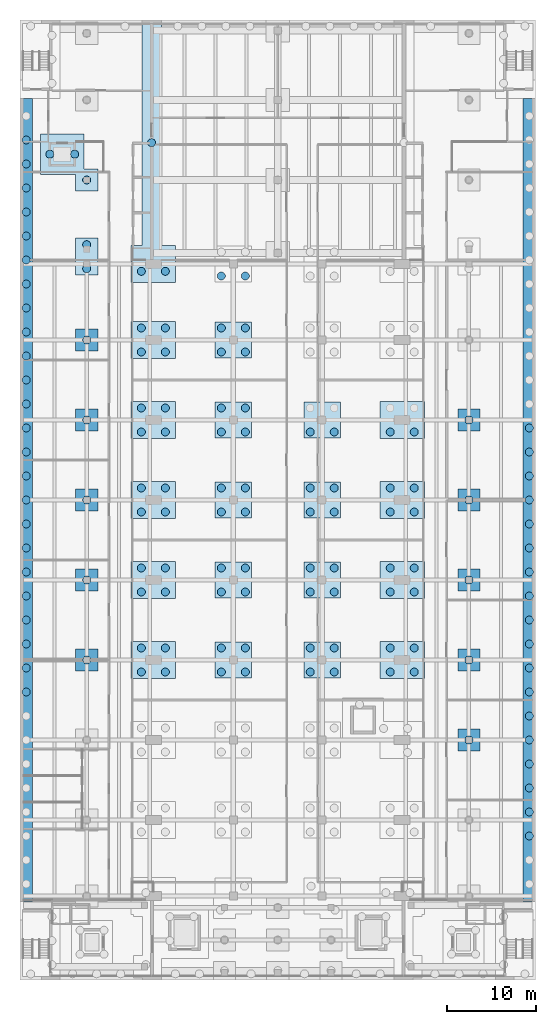
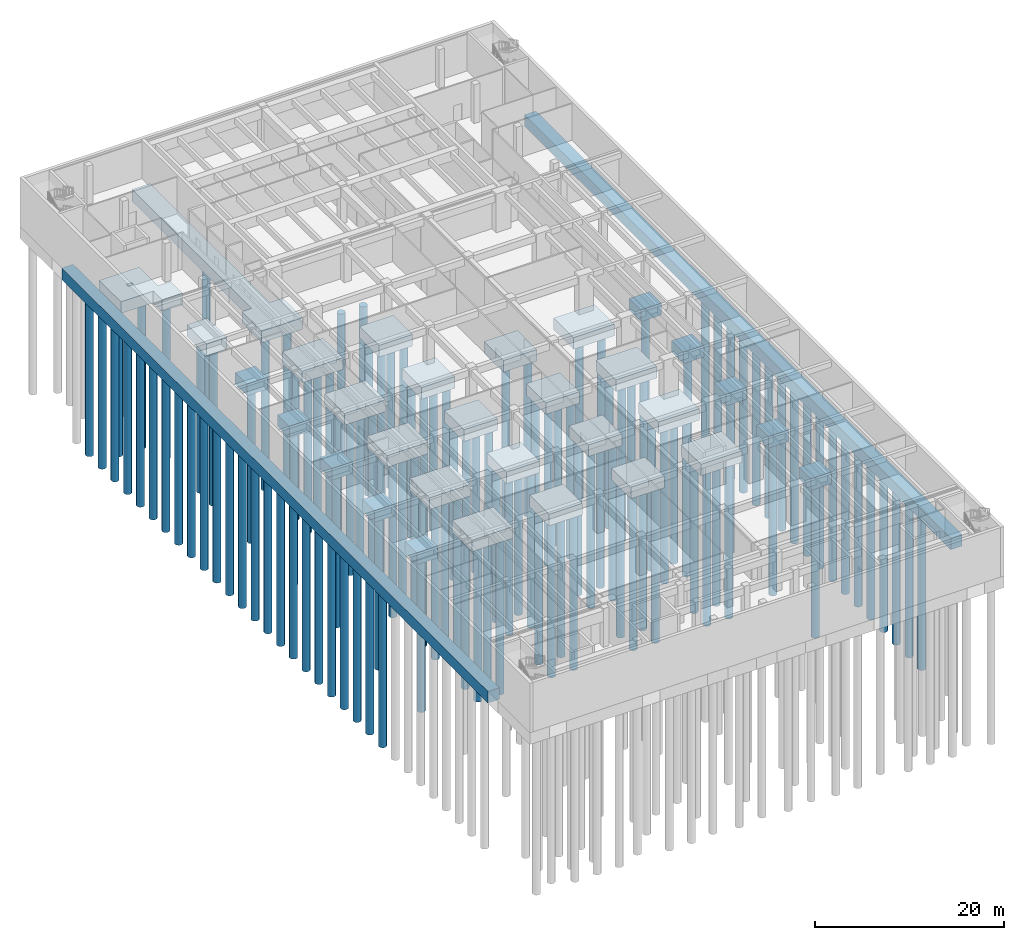
# One storey, part 2 of 19: 130 piles, 33 footings.
"""IFC4 building model written with IfcOpenShell, lengths in metres."""

import ifcopenshell
import ifcopenshell.guid

model = None  # the IFC model being written
_history = None  # IfcOwnerHistory: only IFC2X3 demands one
_inside = {}  # id of a spatial element -> (the spatial element, [elements in it])
_under = {}  # id of a project, library or spatial element -> (it, [spatial elements below it])
_declared = {}  # id of a project -> (the project, [libraries it declares])
_typed = {}  # id of a type object -> (the type object, [elements of that type])
_made_of = {}  # id of a material, layer set ... -> (it, [elements and type objects made of it])


def new_model(schema):
    """Start an empty IFC model of exactly this schema.

    Asked for "IFC4X3", IfcOpenShell would pick the latest addendum, in which some entities
    have other attributes; the version numbers below select the first issue.
    IFC2X3 requires an IfcOwnerHistory on every rooted entity: one is made here for all.
    """
    global model, _history
    if schema == "IFC4X3":
        model = ifcopenshell.file(schema_version=(4, 3, 0, 0))
    else:
        model = ifcopenshell.file(schema=schema)
    _inside.clear()
    _under.clear()
    _declared.clear()
    _typed.clear()
    _made_of.clear()
    _history = None
    if model.schema == "IFC2X3":
        org = make("IfcOrganization", Name="unknown")
        user = make(
            "IfcPersonAndOrganization",
            ThePerson=make("IfcPerson", FamilyName="unknown"),
            TheOrganization=org,
        )
        app = make(
            "IfcApplication",
            ApplicationDeveloper=org,
            Version="unknown",
            ApplicationFullName="unknown",
            ApplicationIdentifier="unknown",
        )
        _history = make(
            "IfcOwnerHistory",
            OwningUser=user,
            OwningApplication=app,
            ChangeAction="ADDED",
            CreationDate=0,
        )
    return model


def make(cls, **values):
    """One entity of the class cls with the attributes given. An attribute that is None is left unset."""
    return model.create_entity(
        cls, **{name: value for name, value in values.items() if value is not None}
    )


def rooted(cls, **values):
    """An entity with a GlobalId (a new one), such as an element, a storey or a relation."""
    return make(cls, GlobalId=ifcopenshell.guid.new(), OwnerHistory=_history, **values)


def si_unit(unit_type, name, prefix=None):
    """IfcSIUnit, for example si_unit("LENGTHUNIT", "METRE", prefix="MILLI")."""
    return make("IfcSIUnit", UnitType=unit_type, Prefix=prefix, Name=name)


def assignment(units):
    """IfcUnitAssignment: the units of a project."""
    return None if units is None else make("IfcUnitAssignment", Units=units)


def point(xyz):
    """IfcCartesianPoint."""
    return None if xyz is None else make("IfcCartesianPoint", Coordinates=xyz)


def direction(xyz):
    """IfcDirection."""
    return None if xyz is None else make("IfcDirection", DirectionRatios=xyz)


def frame(location, z_axis=None, x_axis=None):
    """IfcAxis2Placement3D, a coordinate frame: its origin and axes. An axis left out is left unset."""
    return make(
        "IfcAxis2Placement3D",
        Location=point(location),
        Axis=direction(z_axis),
        RefDirection=direction(x_axis),
    )


def frame_2d(location, x_axis=None):
    """IfcAxis2Placement2D, a coordinate frame in the plane: its origin and x axis."""
    return make(
        "IfcAxis2Placement2D", Location=point(location), RefDirection=direction(x_axis)
    )


def origin():
    """The frame at (0, 0, 0) with its axes left unset."""
    return frame((0.0, 0.0, 0.0))


def origin_2d():
    """The frame at (0, 0) in the plane with its x axis left unset."""
    return frame_2d((0.0, 0.0))


def place(relative_to, where):
    """IfcLocalPlacement: puts the frame where relative to a parent placement (None: the world)."""
    return make(
        "IfcLocalPlacement", PlacementRelTo=relative_to, RelativePlacement=where
    )


def context(
    kind, dimensions, precision=None, world=None, true_north=None, identifier=None
):
    """IfcGeometricRepresentationContext, for example the 3D "Model" context."""
    return make(
        "IfcGeometricRepresentationContext",
        ContextIdentifier=identifier,
        ContextType=kind,
        CoordinateSpaceDimension=dimensions,
        Precision=precision,
        WorldCoordinateSystem=world,
        TrueNorth=true_north,
    )


def subcontext(parent, identifier, kind, view, scale=None):
    """IfcGeometricRepresentationSubContext, for example "Body" below "Model"."""
    return make(
        "IfcGeometricRepresentationSubContext",
        ContextIdentifier=identifier,
        ContextType=kind,
        ParentContext=parent,
        TargetScale=scale,
        TargetView=view,
    )


def project(units=None, contexts=None):
    """IfcProject with its units and contexts."""
    return rooted(
        "IfcProject",
        Name="project",
        RepresentationContexts=contexts,
        UnitsInContext=assignment(units),
    )


def spatial(cls, under=None, at=None, **own):
    """A site, building, storey or space (cls), placed at a placement, below another one or the project."""
    s = rooted(cls, ObjectPlacement=at, **own)
    if under is not None:
        _under.setdefault(under.id(), (under, []))[1].append(s)
    return s


def polyline(points):
    """IfcPolyline through the points."""
    return make("IfcPolyline", Points=[point(p) for p in points])


def profile(cls, at=None, kind="AREA", **sizes):
    """A parametric profile (cls). Its sizes go by their IFC names, for example OverallWidth=200.0."""
    return make(cls, ProfileType=kind, Position=at, **sizes)


def circle(**sizes):
    """IfcCircleProfileDef."""
    return profile("IfcCircleProfileDef", **sizes)


def outline(outer, holes=None, kind="AREA"):
    """IfcArbitraryClosedProfileDef: a profile drawn as a closed curve; with holes, ...WithVoids."""
    if holes is None:
        return make("IfcArbitraryClosedProfileDef", ProfileType=kind, OuterCurve=outer)
    return make(
        "IfcArbitraryProfileDefWithVoids",
        ProfileType=kind,
        OuterCurve=outer,
        InnerCurves=holes,
    )


def extrude(swept, where, along, depth):
    """IfcExtrudedAreaSolid: the profile swept, set in the frame where, extruded along a direction by depth."""
    return make(
        "IfcExtrudedAreaSolid",
        SweptArea=swept,
        Position=where,
        ExtrudedDirection=direction(along),
        Depth=depth,
    )


def shape(context_of_items, identifier, shape_type, items):
    """IfcShapeRepresentation: the items that make up one representation, for example the "Body"."""
    return make(
        "IfcShapeRepresentation",
        ContextOfItems=context_of_items,
        RepresentationIdentifier=identifier,
        RepresentationType=shape_type,
        Items=items,
    )


def material(Name=None, Category=None):
    """IfcMaterial."""
    return make("IfcMaterial", Name=Name, Category=Category)


def layer(
    of_material, thickness, ventilated=None, Name=None, Category=None, Priority=None
):
    """IfcMaterialLayer: one layer of a wall or slab, of a material (None: an air gap)."""
    return make(
        "IfcMaterialLayer",
        Material=of_material,
        LayerThickness=thickness,
        IsVentilated=ventilated,
        Name=Name,
        Category=Category,
        Priority=Priority,
    )


def layer_set(layers, Name=None):
    """IfcMaterialLayerSet."""
    return make("IfcMaterialLayerSet", MaterialLayers=layers, LayerSetName=Name)


def material_profile(
    of_material, cross_section, Name=None, Category=None, Priority=None
):
    """IfcMaterialProfile: a cross section and its material."""
    return make(
        "IfcMaterialProfile",
        Name=Name,
        Material=of_material,
        Profile=cross_section,
        Priority=Priority,
        Category=Category,
    )


def profile_set(profiles, Name=None, composite=None):
    """IfcMaterialProfileSet."""
    return make(
        "IfcMaterialProfileSet",
        Name=Name,
        MaterialProfiles=profiles,
        CompositeProfile=composite,
    )


def made_of(thing, what):
    """Note that an element or type object is made of a material, layer set ...; save() writes the relation."""
    if what is not None:
        _made_of.setdefault(what.id(), (what, []))[1].append(thing)
    return thing


def type_object(cls, material=None, **own):
    """A type object (cls), such as IfcWallType, which elements share."""
    return made_of(rooted(cls, **own), material)


def element(
    cls,
    number,
    at=None,
    inside=None,
    cuts=None,
    type_object=None,
    material=None,
    context=None,
    identifier="Body",
    shape_type=None,
    held_by="IfcProductDefinitionShape",
    body=None,
    shapes=None,
    **own,
):
    """One element of the class cls, such as IfcWall. Its Tag is "e" and its number.

    at: its placement. inside: the storey or other place that contains it. cuts: it is an
    opening in that element (IfcRelVoidsElement). A single representation is given by context,
    identifier, shape_type and body (its items); several are given by shapes. held_by: the class
    of the entity that holds the representations. save() writes the other relations.
    """
    e = rooted(cls, Tag="e%d" % number, ObjectPlacement=at, **own)
    if body is not None:
        shapes = [shape(context, identifier, shape_type, body)]
    if shapes is not None:
        e.Representation = make(held_by, Representations=shapes)
    if inside is not None:
        _inside.setdefault(inside.id(), (inside, []))[1].append(e)
    if cuts is not None:
        rooted(
            "IfcRelVoidsElement", RelatingBuildingElement=cuts, RelatedOpeningElement=e
        )
    if type_object is not None:
        _typed.setdefault(type_object.id(), (type_object, []))[1].append(e)
    return made_of(e, material)


def aggregate(whole, parts):
    """IfcRelAggregates: a whole, such as a stair, and the parts it consists of."""
    return rooted("IfcRelAggregates", RelatingObject=whole, RelatedObjects=parts)


def save(model, path):
    """Write the relations noted so far, then the file.

    IfcRelAggregates (storeys below a building ...), IfcRelContainedInSpatialStructure (elements
    in a storey), IfcRelDefinesByType, IfcRelAssociatesMaterial and IfcRelDeclares: one each for
    every whole, place, type object, material and project.
    """
    for whole, parts in _under.values():
        aggregate(whole, parts)
    for where, things in _inside.values():
        rooted(
            "IfcRelContainedInSpatialStructure",
            RelatedElements=things,
            RelatingStructure=where,
        )
    for kind, things in _typed.values():
        rooted("IfcRelDefinesByType", RelatedObjects=things, RelatingType=kind)
    for what, things in _made_of.values():
        rooted("IfcRelAssociatesMaterial", RelatedObjects=things, RelatingMaterial=what)
    for by, libraries in _declared.values():
        rooted("IfcRelDeclares", RelatingContext=by, RelatedDefinitions=libraries)
    model.write(path)


model = new_model("IFC4")

# Units and contexts
model_context = context("Model", 3, precision=1e-05, world=origin(), true_north=direction((0.0, 1.0)))
body_context = subcontext(model_context, "Body", "Model", "MODEL_VIEW")
ifc_project = project(units=[si_unit("LENGTHUNIT", "METRE"), si_unit("AREAUNIT", "SQUARE_METRE"), si_unit("VOLUMEUNIT", "CUBIC_METRE"), si_unit("PLANEANGLEUNIT", "RADIAN"), si_unit("MASSUNIT", "GRAM", prefix="KILO")], contexts=[model_context])

# Site, building, storey
site_placement = place(None, origin())
site = spatial("IfcSite", under=ifc_project, at=site_placement, CompositionType="ELEMENT")
building_placement = place(site_placement, origin())
building = spatial("IfcBuilding", under=site, at=building_placement, Name="Elmora Arch Market Hall", CompositionType="ELEMENT")
storey_placement = place(building_placement, frame((0.0, 0.0, -10.0)))
storey = spatial("IfcBuildingStorey", under=building, at=storey_placement, Name="B1", CompositionType="ELEMENT", Elevation=-10.0)

# Piles
ifc_material_1 = material(Name="Concrete C40/50", Category="concrete")
ifc_material_profile = material_profile(ifc_material_1, circle(Radius=0.449951171875, at=origin_2d()), Name="Bored pile D900")
ifc_profile_set = profile_set([ifc_material_profile], Name="Concrete C40/50")
pile_type = type_object("IfcPileType", Name="Bored pile D900", PredefinedType="BORED", material=ifc_profile_set)
for number, where, z_axis, x_axis, name in (
    (1, (50.5, 45.0, -2.89990234375), (0.0, 0.0, -1.0), (1.0, 0.0, 0.0), "Bored pile 029.01"),
    (2, (13.64990234375, 52.64990234375, -2.89990234375), (0.0, 0.0, -1.0), (1.0, 0.0, 0.0), "Bored pile 030.01"),
    (3, (13.64990234375, 55.35009765625, -2.89990234375), (0.0, 0.0, -1.0), (1.0, 0.0, 0.0), "Bored pile 030.02"),
    (4, (16.35009765625, 52.64990234375, -2.89990234375), (0.0, 0.0, -1.0), (1.0, 0.0, 0.0), "Bored pile 030.03"),
    (5, (16.35009765625, 55.35009765625, -2.89990234375), (0.0, 0.0, -1.0), (1.0, 0.0, 0.0), "Bored pile 030.04"),
    (6, (41.64990234375, 52.64990234375, -2.89990234375), (0.0, 0.0, -1.0), (1.0, 0.0, 0.0), "Bored pile 031.01"),
    (7, (41.64990234375, 55.35009765625, -2.89990234375), (0.0, 0.0, -1.0), (1.0, 0.0, 0.0), "Bored pile 031.02"),
    (8, (44.35009765625, 52.64990234375, -2.89990234375), (0.0, 0.0, -1.0), (1.0, 0.0, 0.0), "Bored pile 031.03"),
    (9, (44.35009765625, 55.35009765625, -2.89990234375), (0.0, 0.0, -1.0), (1.0, 0.0, 0.0), "Bored pile 031.04"),
    (10, (22.64990234375, 52.64990234375, -2.89990234375), (0.0, 0.0, -1.0), (1.0, 0.0, 0.0), "Bored pile 032.01"),
    (11, (22.64990234375, 55.35009765625, -2.89990234375), (0.0, 0.0, -1.0), (1.0, 0.0, 0.0), "Bored pile 032.02"),
    (12, (25.35009765625, 52.64990234375, -2.89990234375), (0.0, 0.0, -1.0), (1.0, 0.0, 0.0), "Bored pile 032.03"),
    (13, (25.35009765625, 55.35009765625, -2.89990234375), (0.0, 0.0, -1.0), (1.0, 0.0, 0.0), "Bored pile 032.04"),
    (14, (32.64990234375, 52.64990234375, -2.89990234375), (0.0, 0.0, -1.0), (1.0, 0.0, 0.0), "Bored pile 033.01"),
    (15, (32.64990234375, 55.35009765625, -2.89990234375), (0.0, 0.0, -1.0), (1.0, 0.0, 0.0), "Bored pile 033.02"),
    (16, (35.35009765625, 52.64990234375, -2.89990234375), (0.0, 0.0, -1.0), (1.0, 0.0, 0.0), "Bored pile 033.03"),
    (17, (35.35009765625, 55.35009765625, -2.89990234375), (0.0, 0.0, -1.0), (1.0, 0.0, 0.0), "Bored pile 033.04"),
    (18, (7.5, 54.0, -2.89990234375), (0.0, 0.0, -1.0), (1.0, 0.0, 0.0), "Bored pile 034.01"),
    (19, (50.5, 54.0, -2.89990234375), (0.0, 0.0, -1.0), (1.0, 0.0, 0.0), "Bored pile 035.01"),
    (20, (13.64990234375, 61.64990234375, -2.89990234375), (0.0, 0.0, -1.0), (1.0, 0.0, 0.0), "Bored pile 036.01"),
    (21, (13.64990234375, 64.35009765625, -2.89990234375), (0.0, 0.0, -1.0), (1.0, 0.0, 0.0), "Bored pile 036.02"),
    (22, (16.35009765625, 61.64990234375, -2.89990234375), (0.0, 0.0, -1.0), (1.0, 0.0, 0.0), "Bored pile 036.03"),
    (23, (16.35009765625, 64.35009765625, -2.89990234375), (0.0, 0.0, -1.0), (1.0, 0.0, 0.0), "Bored pile 036.04"),
    (24, (41.64990234375, 61.64990234375, -2.89990234375), (0.0, 0.0, -1.0), (1.0, 0.0, 0.0), "Bored pile 037.01"),
    (25, (41.64990234375, 64.35009765625, -2.89990234375), (0.0, 0.0, -1.0), (1.0, 0.0, 0.0), "Bored pile 037.02"),
    (26, (44.35009765625, 61.64990234375, -2.89990234375), (0.0, 0.0, -1.0), (1.0, 0.0, 0.0), "Bored pile 037.03"),
    (27, (44.35009765625, 64.35009765625, -2.89990234375), (0.0, 0.0, -1.0), (1.0, 0.0, 0.0), "Bored pile 037.04"),
    (28, (22.64990234375, 61.64990234375, -2.89990234375), (0.0, 0.0, -1.0), (1.0, 0.0, 0.0), "Bored pile 038.01"),
    (29, (22.64990234375, 64.35009765625, -2.89990234375), (0.0, 0.0, -1.0), (1.0, 0.0, 0.0), "Bored pile 038.02"),
    (30, (25.35009765625, 61.64990234375, -2.89990234375), (0.0, 0.0, -1.0), (1.0, 0.0, 0.0), "Bored pile 038.03"),
    (31, (25.35009765625, 64.35009765625, -2.89990234375), (0.0, 0.0, -1.0), (1.0, 0.0, 0.0), "Bored pile 038.04"),
    (32, (32.64990234375, 61.64990234375, -2.89990234375), (0.0, 0.0, -1.0), (1.0, 0.0, 0.0), "Bored pile 039.01"),
    (33, (32.64990234375, 64.35009765625, -2.89990234375), (0.0, 0.0, -1.0), (1.0, 0.0, 0.0), "Bored pile 039.02"),
    (34, (35.35009765625, 61.64990234375, -2.89990234375), (0.0, 0.0, -1.0), (1.0, 0.0, 0.0), "Bored pile 039.03"),
    (35, (35.35009765625, 64.35009765625, -2.89990234375), (0.0, 0.0, -1.0), (1.0, 0.0, 0.0), "Bored pile 039.04"),
    (36, (7.5, 63.0, -2.89990234375), (0.0, 0.0, -1.0), (1.0, 0.0, 0.0), "Bored pile 040.01"),
    (37, (50.5, 63.0, -2.89990234375), (0.0, 0.0, -1.0), (1.0, 0.0, 0.0), "Bored pile 041.01"),
    (38, (13.64990234375, 70.64990234375, -2.89990234375), (0.0, 0.0, -1.0), (1.0, 0.0, 0.0), "Bored pile 042.01"),
    (39, (13.64990234375, 73.35009765625, -2.89990234375), (0.0, 0.0, -1.0), (1.0, 0.0, 0.0), "Bored pile 042.02"),
    (40, (16.35009765625, 70.64990234375, -2.89990234375), (0.0, 0.0, -1.0), (1.0, 0.0, 0.0), "Bored pile 042.03"),
    (41, (16.35009765625, 73.35009765625, -2.89990234375), (0.0, 0.0, -1.0), (1.0, 0.0, 0.0), "Bored pile 042.04"),
    (42, (41.64990234375, 70.64990234375, -2.89990234375), (0.0, 0.0, -1.0), (1.0, 0.0, 0.0), "Bored pile 043.01"),
    (43, (41.64990234375, 73.35009765625, -2.89990234375), (0.0, 0.0, -1.0), (1.0, 0.0, 0.0), "Bored pile 043.02"),
    (44, (44.35009765625, 70.64990234375, -2.89990234375), (0.0, 0.0, -1.0), (1.0, 0.0, 0.0), "Bored pile 043.03"),
    (45, (44.35009765625, 73.35009765625, -2.89990234375), (0.0, 0.0, -1.0), (1.0, 0.0, 0.0), "Bored pile 043.04"),
    (46, (22.64990234375, 70.64990234375, -2.89990234375), (0.0, 0.0, -1.0), (1.0, 0.0, 0.0), "Bored pile 044.01"),
    (47, (22.64990234375, 73.35009765625, -2.89990234375), (0.0, 0.0, -1.0), (1.0, 0.0, 0.0), "Bored pile 044.02"),
    (48, (25.35009765625, 70.64990234375, -2.89990234375), (0.0, 0.0, -1.0), (1.0, 0.0, 0.0), "Bored pile 044.03"),
    (49, (25.35009765625, 73.35009765625, -2.89990234375), (0.0, 0.0, -1.0), (1.0, 0.0, 0.0), "Bored pile 044.04"),
    (50, (32.64990234375, 70.64990234375, -2.89990234375), (0.0, 0.0, -1.0), (1.0, 0.0, 0.0), "Bored pile 045.01"),
    (51, (32.64990234375, 73.35009765625, -2.89990234375), (0.0, 0.0, -1.0), (1.0, 0.0, 0.0), "Bored pile 045.02"),
    (52, (35.35009765625, 70.64990234375, -2.89990234375), (0.0, 0.0, -1.0), (1.0, 0.0, 0.0), "Bored pile 045.03"),
    (53, (35.35009765625, 73.35009765625, -2.89990234375), (0.0, 0.0, -1.0), (1.0, 0.0, 0.0), "Bored pile 045.04"),
    (54, (7.5, 72.0, -2.89990234375), (0.0, 0.0, -1.0), (1.0, 0.0, 0.0), "Bored pile 046.01"),
    (55, (50.5, 72.0, -2.89990234375), (0.0, 0.0, -1.0), (1.0, 0.0, 0.0), "Bored pile 047.01"),
    (56, (13.64990234375, 79.64990234375, -2.89990234375), (0.0, 0.0, -1.0), (1.0, 0.0, 0.0), "Bored pile 048.01"),
    (57, (13.64990234375, 82.35009765625, -2.89990234375), (0.0, 0.0, -1.0), (1.0, 0.0, 0.0), "Bored pile 048.02"),
    (58, (16.35009765625, 79.64990234375, -2.89990234375), (0.0, 0.0, -1.0), (1.0, 0.0, 0.0), "Bored pile 048.03"),
    (59, (16.35009765625, 82.35009765625, -2.89990234375), (0.0, 0.0, -1.0), (1.0, 0.0, 0.0), "Bored pile 048.04"),
    (60, (41.64990234375, 79.64990234375, -2.89990234375), (0.0, 0.0, -1.0), (1.0, 0.0, 0.0), "Bored pile 049.01"),
    (61, (44.35009765625, 79.64990234375, -2.89990234375), (0.0, 0.0, -1.0), (1.0, 0.0, 0.0), "Bored pile 049.03"),
    (62, (22.64990234375, 79.64990234375, -2.89990234375), (0.0, 0.0, -1.0), (1.0, 0.0, 0.0), "Bored pile 050.01"),
    (63, (22.64990234375, 82.35009765625, -2.89990234375), (0.0, 0.0, -1.0), (1.0, 0.0, 0.0), "Bored pile 050.02"),
    (64, (25.35009765625, 79.64990234375, -2.89990234375), (0.0, 0.0, -1.0), (1.0, 0.0, 0.0), "Bored pile 050.03"),
    (65, (25.35009765625, 82.35009765625, -2.89990234375), (0.0, 0.0, -1.0), (1.0, 0.0, 0.0), "Bored pile 050.04"),
    (66, (32.64990234375, 79.64990234375, -2.89990234375), (0.0, 0.0, -1.0), (1.0, 0.0, 0.0), "Bored pile 051.01"),
    (67, (35.35009765625, 79.64990234375, -2.89990234375), (0.0, 0.0, -1.0), (1.0, 0.0, 0.0), "Bored pile 051.03"),
    (68, (7.5, 81.0, -2.89990234375), (0.0, 0.0, -1.0), (1.0, 0.0, 0.0), "Bored pile 052.01"),
    (69, (50.5, 81.0, -2.89990234375), (0.0, 0.0, -1.0), (1.0, 0.0, 0.0), "Bored pile 053.01"),
    (70, (13.64990234375, 88.64990234375, -2.89990234375), (0.0, 0.0, -1.0), (1.0, 0.0, 0.0), "Bored pile 054.01"),
    (71, (13.64990234375, 91.35009765625, -2.89990234375), (0.0, 0.0, -1.0), (1.0, 0.0, 0.0), "Bored pile 054.02"),
    (72, (16.35009765625, 88.64990234375, -2.89990234375), (0.0, 0.0, -1.0), (1.0, 0.0, 0.0), "Bored pile 054.03"),
    (73, (16.35009765625, 91.35009765625, -2.89990234375), (0.0, 0.0, -1.0), (1.0, 0.0, 0.0), "Bored pile 054.04"),
    (74, (22.64990234375, 88.64990234375, -2.89990234375), (0.0, 0.0, -1.0), (1.0, 0.0, 0.0), "Bored pile 056.01"),
    (75, (22.64990234375, 91.35009765625, -2.89990234375), (0.0, 0.0, -1.0), (1.0, 0.0, 0.0), "Bored pile 056.02"),
    (76, (25.35009765625, 88.64990234375, -2.89990234375), (0.0, 0.0, -1.0), (1.0, 0.0, 0.0), "Bored pile 056.03"),
    (77, (25.35009765625, 91.35009765625, -2.89990234375), (0.0, 0.0, -1.0), (1.0, 0.0, 0.0), "Bored pile 056.04"),
    (78, (7.5, 90.0, -2.89990234375), (0.0, 0.0, -1.0), (1.0, 0.0, 0.0), "Bored pile 058.01"),
    (79, (13.64990234375, 97.72509765625, -2.89990234375), (0.0, 0.0, -1.0), (1.0, 0.0, 0.0), "Bored pile 060.01"),
    (80, (16.35009765625, 97.72509765625, -2.89990234375), (0.0, 0.0, -1.0), (1.0, 0.0, 0.0), "Bored pile 060.02"),
    (81, (14.800048828125, 112.199951171875, -2.89990234375), (0.0, 0.0, -1.0), (1.0, 0.0, 0.0), "Bored pile 060.03"),
    (82, (22.64990234375, 97.199951171875, -2.89990234375), (0.0, 0.0, -1.0), (1.0, 0.0, 0.0), "Bored pile 062.01"),
    (83, (25.35009765625, 97.199951171875, -2.89990234375), (0.0, 0.0, -1.0), (1.0, 0.0, 0.0), "Bored pile 062.03"),
    (84, (7.5, 98.02490234375, -2.89990234375), (0.0, 0.0, -1.0), (1.0, 0.0, 0.0), "Bored pile 064.01"),
    (85, (7.5, 100.72509765625, -2.89990234375), (0.0, 0.0, -1.0), (1.0, 0.0, 0.0), "Bored pile 064.02"),
    (86, (7.5, 108.0, -2.89990234375), (0.0, 0.0, -1.0), (1.0, 0.0, 0.0), "Bored pile 068.01"),
    (87, (3.35009765625, 110.89990234375, -2.89990234375), (0.0, 0.0, -1.0), (1.0, 0.0, 0.0), "Bored pile 068.02"),
    (88, (6.14990234375, 110.89990234375, -2.89990234375), (0.0, 0.0, -1.0), (1.0, 0.0, 0.0), "Bored pile 068.03"),
    (89, (0.699951171875, 50.39990234375, -2.89990234375), (0.0, 0.0, -1.0), (1.0, 0.0, 0.0), "Bored pile 086.09"),
    (90, (0.699951171875, 53.10009765625, -2.89990234375), (0.0, 0.0, -1.0), (1.0, 0.0, 0.0), "Bored pile 086.10"),
    (91, (0.699951171875, 55.800048828125, -2.89990234375), (0.0, 0.0, -1.0), (1.0, 0.0, 0.0), "Bored pile 086.11"),
    (92, (0.699951171875, 58.5, -2.89990234375), (0.0, 0.0, -1.0), (1.0, 0.0, 0.0), "Bored pile 086.12"),
    (93, (0.699951171875, 61.199951171875, -2.89990234375), (0.0, 0.0, -1.0), (1.0, 0.0, 0.0), "Bored pile 086.13"),
    (94, (0.699951171875, 63.89990234375, -2.89990234375), (0.0, 0.0, -1.0), (1.0, 0.0, 0.0), "Bored pile 086.14"),
    (95, (0.699951171875, 66.60009765625, -2.89990234375), (0.0, 0.0, -1.0), (1.0, 0.0, 0.0), "Bored pile 086.15"),
    (96, (0.699951171875, 69.300048828125, -2.89990234375), (0.0, 0.0, -1.0), (1.0, 0.0, 0.0), "Bored pile 086.16"),
    (97, (0.699951171875, 72.0, -2.89990234375), (0.0, 0.0, -1.0), (1.0, 0.0, 0.0), "Bored pile 086.17"),
    (98, (0.699951171875, 74.699951171875, -2.89990234375), (0.0, 0.0, -1.0), (1.0, 0.0, 0.0), "Bored pile 086.18"),
    (99, (0.699951171875, 77.39990234375, -2.89990234375), (0.0, 0.0, -1.0), (1.0, 0.0, 0.0), "Bored pile 086.19"),
    (100, (0.699951171875, 80.10009765625, -2.89990234375), (0.0, 0.0, -1.0), (1.0, 0.0, 0.0), "Bored pile 086.20"),
    (101, (0.699951171875, 82.800048828125, -2.89990234375), (0.0, 0.0, -1.0), (1.0, 0.0, 0.0), "Bored pile 086.21"),
    (102, (0.699951171875, 85.5, -2.89990234375), (0.0, 0.0, -1.0), (1.0, 0.0, 0.0), "Bored pile 086.22"),
    (103, (0.699951171875, 88.199951171875, -2.89990234375), (0.0, 0.0, -1.0), (1.0, 0.0, 0.0), "Bored pile 086.23"),
    (104, (0.699951171875, 90.89990234375, -2.89990234375), (0.0, 0.0, -1.0), (1.0, 0.0, 0.0), "Bored pile 086.24"),
    (105, (0.699951171875, 93.60009765625, -2.89990234375), (0.0, 0.0, -1.0), (1.0, 0.0, 0.0), "Bored pile 086.25"),
    (106, (0.699951171875, 96.300048828125, -2.89990234375), (0.0, 0.0, -1.0), (1.0, 0.0, 0.0), "Bored pile 086.26"),
    (107, (0.699951171875, 99.0, -2.89990234375), (0.0, 0.0, -1.0), (1.0, 0.0, 0.0), "Bored pile 086.27"),
    (108, (0.699951171875, 101.699951171875, -2.89990234375), (0.0, 0.0, -1.0), (1.0, 0.0, 0.0), "Bored pile 086.28"),
    (109, (0.699951171875, 104.39990234375, -2.89990234375), (0.0, 0.0, -1.0), (1.0, 0.0, 0.0), "Bored pile 086.29"),
    (110, (0.699951171875, 107.10009765625, -2.89990234375), (0.0, 0.0, -1.0), (1.0, 0.0, 0.0), "Bored pile 086.30"),
    (111, (0.699951171875, 109.800048828125, -2.89990234375), (0.0, 0.0, -1.0), (1.0, 0.0, 0.0), "Bored pile 086.31"),
    (112, (0.699951171875, 112.5, -2.89990234375), (0.0, 0.0, -1.0), (1.0, 0.0, 0.0), "Bored pile 086.32"),
    (113, (57.300048828125, 34.199951171875, -2.89990234375), (0.0, 0.0, -1.0), (1.0, 0.0, 0.0), "Bored pile 087.03"),
    (114, (57.300048828125, 36.89990234375, -2.89990234375), (0.0, 0.0, -1.0), (1.0, 0.0, 0.0), "Bored pile 087.04"),
    (115, (57.300048828125, 39.60009765625, -2.89990234375), (0.0, 0.0, -1.0), (1.0, 0.0, 0.0), "Bored pile 087.05"),
    (116, (57.300048828125, 42.300048828125, -2.89990234375), (0.0, 0.0, -1.0), (1.0, 0.0, 0.0), "Bored pile 087.06"),
    (117, (57.300048828125, 45.0, -2.89990234375), (0.0, 0.0, -1.0), (1.0, 0.0, 0.0), "Bored pile 087.07"),
    (118, (57.300048828125, 47.699951171875, -2.89990234375), (0.0, 0.0, -1.0), (1.0, 0.0, 0.0), "Bored pile 087.08"),
    (119, (57.300048828125, 50.39990234375, -2.89990234375), (0.0, 0.0, -1.0), (1.0, 0.0, 0.0), "Bored pile 087.09"),
    (120, (57.300048828125, 53.10009765625, -2.89990234375), (0.0, 0.0, -1.0), (1.0, 0.0, 0.0), "Bored pile 087.10"),
    (121, (57.300048828125, 55.800048828125, -2.89990234375), (0.0, 0.0, -1.0), (1.0, 0.0, 0.0), "Bored pile 087.11"),
    (122, (57.300048828125, 58.5, -2.89990234375), (0.0, 0.0, -1.0), (1.0, 0.0, 0.0), "Bored pile 087.12"),
    (123, (57.300048828125, 61.199951171875, -2.89990234375), (0.0, 0.0, -1.0), (1.0, 0.0, 0.0), "Bored pile 087.13"),
    (124, (57.300048828125, 63.89990234375, -2.89990234375), (0.0, 0.0, -1.0), (1.0, 0.0, 0.0), "Bored pile 087.14"),
    (125, (57.300048828125, 66.60009765625, -2.89990234375), (0.0, 0.0, -1.0), (1.0, 0.0, 0.0), "Bored pile 087.15"),
    (126, (57.300048828125, 69.300048828125, -2.89990234375), (0.0, 0.0, -1.0), (1.0, 0.0, 0.0), "Bored pile 087.16"),
    (127, (57.300048828125, 72.0, -2.89990234375), (0.0, 0.0, -1.0), (1.0, 0.0, 0.0), "Bored pile 087.17"),
    (128, (57.300048828125, 74.699951171875, -2.89990234375), (0.0, 0.0, -1.0), (1.0, 0.0, 0.0), "Bored pile 087.18"),
    (129, (57.300048828125, 77.39990234375, -2.89990234375), (0.0, 0.0, -1.0), (1.0, 0.0, 0.0), "Bored pile 087.19"),
    (130, (57.300048828125, 80.10009765625, -2.89990234375), (0.0, 0.0, -1.0), (1.0, 0.0, 0.0), "Bored pile 087.20"),
):
    element("IfcPile", number, at=place(storey_placement, frame(where, z_axis=z_axis, x_axis=x_axis)), inside=storey, type_object=pile_type, Name=name, PredefinedType="BORED", context=body_context, shape_type="SweptSolid", body=[
        extrude(circle(Radius=0.449951171875, at=origin_2d()), origin(), (0.0, 0.0, 1.0), 20.0),
    ])

# Footings
ifc_material_2 = material(Name="Concrete C40/50", Category="concrete")
ifc_layer_1 = layer(ifc_material_2, 1.5)
ifc_layer_set_1 = layer_set([ifc_layer_1], Name="Concrete C40/50")
footing_type_1 = type_object("IfcFootingType", Name="Pile cap 1500, 3 to 4 piles", PredefinedType="PILE_CAP", material=ifc_layer_set_1)
footing_1_placement = place(storey_placement, frame((0.0, 0.0, -2.89990234375)))
element("IfcFooting", 131, at=footing_1_placement, inside=storey, type_object=footing_type_1, Name="Pile cap 030", PredefinedType="PILE_CAP", context=body_context, shape_type="SweptSolid", body=[
    extrude(outline(polyline([(17.5, 56.10009765625), (17.5, 51.89990234375), (12.5, 51.89990234375), (12.5, 56.10009765625), (17.5, 56.10009765625)])), origin(), (0.0, 0.0, 1.0), 1.5),
])
footing_2_placement = place(storey_placement, frame((0.0, 0.0, -2.89990234375)))
element("IfcFooting", 132, at=footing_2_placement, inside=storey, type_object=footing_type_1, Name="Pile cap 031", PredefinedType="PILE_CAP", context=body_context, shape_type="SweptSolid", body=[
    extrude(outline(polyline([(45.5, 51.89990234375), (40.5, 51.89990234375), (40.5, 56.10009765625), (45.5, 56.10009765625), (45.5, 51.89990234375)])), origin(), (0.0, 0.0, 1.0), 1.5),
])
footing_3_placement = place(storey_placement, frame((0.0, 0.0, -2.89990234375)))
element("IfcFooting", 133, at=footing_3_placement, inside=storey, type_object=footing_type_1, Name="Pile cap 032", PredefinedType="PILE_CAP", context=body_context, shape_type="SweptSolid", body=[
    extrude(outline(polyline([(26.050048828125, 51.949951171875), (21.949951171875, 51.949951171875), (21.949951171875, 56.050048828125), (26.050048828125, 56.050048828125), (26.050048828125, 51.949951171875)])), origin(), (0.0, 0.0, 1.0), 1.5),
])
footing_4_placement = place(storey_placement, frame((0.0, 0.0, -2.89990234375)))
element("IfcFooting", 134, at=footing_4_placement, inside=storey, type_object=footing_type_1, Name="Pile cap 033", PredefinedType="PILE_CAP", context=body_context, shape_type="SweptSolid", body=[
    extrude(outline(polyline([(36.050048828125, 51.949951171875), (31.949951171875, 51.949951171875), (31.949951171875, 56.050048828125), (36.050048828125, 56.050048828125), (36.050048828125, 51.949951171875)])), origin(), (0.0, 0.0, 1.0), 1.5),
])
footing_5_placement = place(storey_placement, frame((0.0, 0.0, -2.89990234375)))
element("IfcFooting", 135, at=footing_5_placement, inside=storey, type_object=footing_type_1, Name="Pile cap 036", PredefinedType="PILE_CAP", context=body_context, shape_type="SweptSolid", body=[
    extrude(outline(polyline([(17.5, 60.89990234375), (12.5, 60.89990234375), (12.5, 65.10009765625), (17.5, 65.10009765625), (17.5, 60.89990234375)])), origin(), (0.0, 0.0, 1.0), 1.5),
])
footing_6_placement = place(storey_placement, frame((0.0, 0.0, -2.89990234375)))
element("IfcFooting", 136, at=footing_6_placement, inside=storey, type_object=footing_type_1, Name="Pile cap 037", PredefinedType="PILE_CAP", context=body_context, shape_type="SweptSolid", body=[
    extrude(outline(polyline([(45.5, 60.89990234375), (40.5, 60.89990234375), (40.5, 65.10009765625), (45.5, 65.10009765625), (45.5, 60.89990234375)])), origin(), (0.0, 0.0, 1.0), 1.5),
])
footing_7_placement = place(storey_placement, frame((0.0, 0.0, -2.89990234375)))
element("IfcFooting", 137, at=footing_7_placement, inside=storey, type_object=footing_type_1, Name="Pile cap 038", PredefinedType="PILE_CAP", context=body_context, shape_type="SweptSolid", body=[
    extrude(outline(polyline([(26.050048828125, 60.949951171875), (21.949951171875, 60.949951171875), (21.949951171875, 65.050048828125), (26.050048828125, 65.050048828125), (26.050048828125, 60.949951171875)])), origin(), (0.0, 0.0, 1.0), 1.5),
])
footing_8_placement = place(storey_placement, frame((0.0, 0.0, -2.89990234375)))
element("IfcFooting", 138, at=footing_8_placement, inside=storey, type_object=footing_type_1, Name="Pile cap 039", PredefinedType="PILE_CAP", context=body_context, shape_type="SweptSolid", body=[
    extrude(outline(polyline([(36.050048828125, 60.949951171875), (31.949951171875, 60.949951171875), (31.949951171875, 65.050048828125), (36.050048828125, 65.050048828125), (36.050048828125, 60.949951171875)])), origin(), (0.0, 0.0, 1.0), 1.5),
])
footing_9_placement = place(storey_placement, frame((0.0, 0.0, -2.89990234375)))
element("IfcFooting", 139, at=footing_9_placement, inside=storey, type_object=footing_type_1, Name="Pile cap 042", PredefinedType="PILE_CAP", context=body_context, shape_type="SweptSolid", body=[
    extrude(outline(polyline([(17.5, 69.89990234375), (12.5, 69.89990234375), (12.5, 74.10009765625), (17.5, 74.10009765625), (17.5, 69.89990234375)])), origin(), (0.0, 0.0, 1.0), 1.5),
])
footing_10_placement = place(storey_placement, frame((0.0, 0.0, -2.89990234375)))
element("IfcFooting", 140, at=footing_10_placement, inside=storey, type_object=footing_type_1, Name="Pile cap 043", PredefinedType="PILE_CAP", context=body_context, shape_type="SweptSolid", body=[
    extrude(outline(polyline([(45.5, 69.89990234375), (40.5, 69.89990234375), (40.5, 74.10009765625), (45.5, 74.10009765625), (45.5, 69.89990234375)])), origin(), (0.0, 0.0, 1.0), 1.5),
])
footing_11_placement = place(storey_placement, frame((0.0, 0.0, -2.89990234375)))
element("IfcFooting", 141, at=footing_11_placement, inside=storey, type_object=footing_type_1, Name="Pile cap 044", PredefinedType="PILE_CAP", context=body_context, shape_type="SweptSolid", body=[
    extrude(outline(polyline([(26.050048828125, 69.949951171875), (21.949951171875, 69.949951171875), (21.949951171875, 74.050048828125), (26.050048828125, 74.050048828125), (26.050048828125, 69.949951171875)])), origin(), (0.0, 0.0, 1.0), 1.5),
])
footing_12_placement = place(storey_placement, frame((0.0, 0.0, -2.89990234375)))
element("IfcFooting", 142, at=footing_12_placement, inside=storey, type_object=footing_type_1, Name="Pile cap 045", PredefinedType="PILE_CAP", context=body_context, shape_type="SweptSolid", body=[
    extrude(outline(polyline([(36.050048828125, 69.949951171875), (31.949951171875, 69.949951171875), (31.949951171875, 74.050048828125), (36.050048828125, 74.050048828125), (36.050048828125, 69.949951171875)])), origin(), (0.0, 0.0, 1.0), 1.5),
])
footing_13_placement = place(storey_placement, frame((0.0, 0.0, -2.89990234375)))
element("IfcFooting", 143, at=footing_13_placement, inside=storey, type_object=footing_type_1, Name="Pile cap 048", PredefinedType="PILE_CAP", context=body_context, shape_type="SweptSolid", body=[
    extrude(outline(polyline([(17.5, 78.89990234375), (12.5, 78.89990234375), (12.5, 83.10009765625), (17.5, 83.10009765625), (17.5, 78.89990234375)])), origin(), (0.0, 0.0, 1.0), 1.5),
])
footing_14_placement = place(storey_placement, frame((0.0, 0.0, -2.89990234375)))
element("IfcFooting", 144, at=footing_14_placement, inside=storey, type_object=footing_type_1, Name="Pile cap 049", PredefinedType="PILE_CAP", context=body_context, shape_type="SweptSolid", body=[
    extrude(outline(polyline([(45.5, 78.89990234375), (40.5, 78.89990234375), (40.5, 83.10009765625), (45.5, 83.10009765625), (45.5, 78.89990234375)])), origin(), (0.0, 0.0, 1.0), 1.5),
])
footing_15_placement = place(storey_placement, frame((0.0, 0.0, -2.89990234375)))
element("IfcFooting", 145, at=footing_15_placement, inside=storey, type_object=footing_type_1, Name="Pile cap 050", PredefinedType="PILE_CAP", context=body_context, shape_type="SweptSolid", body=[
    extrude(outline(polyline([(26.050048828125, 78.949951171875), (21.949951171875, 78.949951171875), (21.949951171875, 83.050048828125), (26.050048828125, 83.050048828125), (26.050048828125, 78.949951171875)])), origin(), (0.0, 0.0, 1.0), 1.5),
])
footing_16_placement = place(storey_placement, frame((0.0, 0.0, -2.89990234375)))
element("IfcFooting", 146, at=footing_16_placement, inside=storey, type_object=footing_type_1, Name="Pile cap 051", PredefinedType="PILE_CAP", context=body_context, shape_type="SweptSolid", body=[
    extrude(outline(polyline([(36.050048828125, 78.949951171875), (31.949951171875, 78.949951171875), (31.949951171875, 83.050048828125), (36.050048828125, 83.050048828125), (36.050048828125, 78.949951171875)])), origin(), (0.0, 0.0, 1.0), 1.5),
])
footing_17_placement = place(storey_placement, frame((0.0, 0.0, -2.89990234375)))
element("IfcFooting", 147, at=footing_17_placement, inside=storey, type_object=footing_type_1, Name="Pile cap 054", PredefinedType="PILE_CAP", context=body_context, shape_type="SweptSolid", body=[
    extrude(outline(polyline([(17.5, 87.89990234375), (12.5, 87.89990234375), (12.5, 92.10009765625), (17.5, 92.10009765625), (17.5, 87.89990234375)])), origin(), (0.0, 0.0, 1.0), 1.5),
])
footing_18_placement = place(storey_placement, frame((0.0, 0.0, -2.89990234375)))
element("IfcFooting", 148, at=footing_18_placement, inside=storey, type_object=footing_type_1, Name="Pile cap 056", PredefinedType="PILE_CAP", context=body_context, shape_type="SweptSolid", body=[
    extrude(outline(polyline([(26.050048828125, 87.949951171875), (21.949951171875, 87.949951171875), (21.949951171875, 92.050048828125), (26.050048828125, 92.050048828125), (26.050048828125, 87.949951171875)])), origin(), (0.0, 0.0, 1.0), 1.5),
])
footing_19_placement = place(storey_placement, frame((0.0, 0.0, -2.89990234375)))
element("IfcFooting", 149, at=footing_19_placement, inside=storey, type_object=footing_type_1, Name="Pile cap 060", PredefinedType="PILE_CAP", context=body_context, shape_type="SweptSolid", body=[
    extrude(outline(polyline([(15.89990234375, 100.64990234375), (17.5, 100.64990234375), (17.5, 96.449951171875), (12.5, 96.449951171875), (12.5, 100.64990234375), (13.699951171875, 100.64990234375), (13.699951171875, 126.0), (15.89990234375, 126.0), (15.89990234375, 100.64990234375)])), origin(), (0.0, 0.0, 1.0), 1.5),
])
footing_20_placement = place(storey_placement, frame((0.0, 0.0, -2.89990234375)))
element("IfcFooting", 150, at=footing_20_placement, inside=storey, type_object=footing_type_1, Name="Pile cap 068", PredefinedType="PILE_CAP", context=body_context, shape_type="SweptSolid", body=[
    extrude(outline(polyline([(5.10009765625, 108.60009765625), (4.39990234375, 108.60009765625), (2.60009765625, 108.60009765625), (2.300048828125, 108.60009765625), (2.300048828125, 113.199951171875), (2.60009765625, 113.199951171875), (4.39990234375, 113.199951171875), (5.10009765625, 113.199951171875), (6.89990234375, 113.199951171875), (7.199951171875, 113.199951171875), (7.199951171875, 109.25), (8.75, 109.25), (8.75, 106.75), (6.25, 106.75), (6.25, 108.60009765625), (5.10009765625, 108.60009765625)]), holes=[polyline([(5.10009765625, 110.699951171875), (5.10009765625, 111.10009765625), (4.39990234375, 111.10009765625), (4.39990234375, 110.699951171875), (5.10009765625, 110.699951171875)])]), origin(), (0.0, 0.0, 1.0), 1.5),
])
ifc_material_3 = material(Name="Concrete C40/50", Category="concrete")
ifc_layer_2 = layer(ifc_material_3, 1.5)
ifc_layer_set_2 = layer_set([ifc_layer_2], Name="Concrete C40/50")
footing_type_2 = type_object("IfcFootingType", Name="Pile cap 1500, over 8 piles", PredefinedType="PILE_CAP", material=ifc_layer_set_2)
footing_21_placement = place(storey_placement, frame((0.0, 0.0, -2.89990234375)))
element("IfcFooting", 151, at=footing_21_placement, inside=storey, type_object=footing_type_2, Name="Pile cap 086", PredefinedType="PILE_CAP", context=body_context, shape_type="SweptSolid", body=[
    extrude(outline(polyline([(0.0, 117.14990234375), (1.39990234375, 117.14990234375), (1.39990234375, 26.85009765625), (0.0, 26.85009765625), (0.0, 117.14990234375)])), origin(), (0.0, 0.0, 1.0), 1.5),
])
footing_22_placement = place(storey_placement, frame((0.0, 0.0, -2.89990234375)))
element("IfcFooting", 152, at=footing_22_placement, inside=storey, type_object=footing_type_2, Name="Pile cap 087", PredefinedType="PILE_CAP", context=body_context, shape_type="SweptSolid", body=[
    extrude(outline(polyline([(58.0, 26.85009765625), (56.60009765625, 26.85009765625), (56.60009765625, 117.14990234375), (58.0, 117.14990234375), (58.0, 26.85009765625)])), origin(), (0.0, 0.0, 1.0), 1.5),
])
ifc_material_4 = material(Name="Concrete C40/50", Category="concrete")
ifc_layer_3 = layer(ifc_material_4, 1.5)
ifc_layer_set_3 = layer_set([ifc_layer_3], Name="Concrete C40/50")
footing_type_3 = type_object("IfcFootingType", Name="Pile cap 1500, up to 2 piles", PredefinedType="PILE_CAP", material=ifc_layer_set_3)
footing_23_placement = place(storey_placement, frame((0.0, 0.0, -2.89990234375)))
element("IfcFooting", 153, at=footing_23_placement, inside=storey, type_object=footing_type_3, Name="Pile cap 029", PredefinedType="PILE_CAP", context=body_context, shape_type="SweptSolid", body=[
    extrude(outline(polyline([(51.75, 43.75), (49.25, 43.75), (49.25, 46.25), (51.75, 46.25), (51.75, 43.75)])), origin(), (0.0, 0.0, 1.0), 1.5),
])
footing_24_placement = place(storey_placement, frame((0.0, 0.0, -2.89990234375)))
element("IfcFooting", 154, at=footing_24_placement, inside=storey, type_object=footing_type_3, Name="Pile cap 034", PredefinedType="PILE_CAP", context=body_context, shape_type="SweptSolid", body=[
    extrude(outline(polyline([(8.75, 52.75), (6.25, 52.75), (6.25, 55.25), (8.75, 55.25), (8.75, 52.75)])), origin(), (0.0, 0.0, 1.0), 1.5),
])
footing_25_placement = place(storey_placement, frame((0.0, 0.0, -2.89990234375)))
element("IfcFooting", 155, at=footing_25_placement, inside=storey, type_object=footing_type_3, Name="Pile cap 035", PredefinedType="PILE_CAP", context=body_context, shape_type="SweptSolid", body=[
    extrude(outline(polyline([(51.75, 52.75), (49.25, 52.75), (49.25, 55.25), (51.75, 55.25), (51.75, 52.75)])), origin(), (0.0, 0.0, 1.0), 1.5),
])
footing_26_placement = place(storey_placement, frame((0.0, 0.0, -2.89990234375)))
element("IfcFooting", 156, at=footing_26_placement, inside=storey, type_object=footing_type_3, Name="Pile cap 040", PredefinedType="PILE_CAP", context=body_context, shape_type="SweptSolid", body=[
    extrude(outline(polyline([(8.75, 61.75), (6.25, 61.75), (6.25, 64.25), (8.75, 64.25), (8.75, 61.75)])), origin(), (0.0, 0.0, 1.0), 1.5),
])
footing_27_placement = place(storey_placement, frame((0.0, 0.0, -2.89990234375)))
element("IfcFooting", 157, at=footing_27_placement, inside=storey, type_object=footing_type_3, Name="Pile cap 041", PredefinedType="PILE_CAP", context=body_context, shape_type="SweptSolid", body=[
    extrude(outline(polyline([(51.75, 64.25), (51.75, 61.75), (49.25, 61.75), (49.25, 64.25), (51.75, 64.25)])), origin(), (0.0, 0.0, 1.0), 1.5),
])
footing_28_placement = place(storey_placement, frame((0.0, 0.0, -2.89990234375)))
element("IfcFooting", 158, at=footing_28_placement, inside=storey, type_object=footing_type_3, Name="Pile cap 046", PredefinedType="PILE_CAP", context=body_context, shape_type="SweptSolid", body=[
    extrude(outline(polyline([(8.75, 73.25), (8.75, 70.75), (6.25, 70.75), (6.25, 73.25), (8.75, 73.25)])), origin(), (0.0, 0.0, 1.0), 1.5),
])
footing_29_placement = place(storey_placement, frame((0.0, 0.0, -2.89990234375)))
element("IfcFooting", 159, at=footing_29_placement, inside=storey, type_object=footing_type_3, Name="Pile cap 047", PredefinedType="PILE_CAP", context=body_context, shape_type="SweptSolid", body=[
    extrude(outline(polyline([(51.75, 70.75), (49.25, 70.75), (49.25, 73.25), (51.75, 73.25), (51.75, 70.75)])), origin(), (0.0, 0.0, 1.0), 1.5),
])
footing_30_placement = place(storey_placement, frame((0.0, 0.0, -2.89990234375)))
element("IfcFooting", 160, at=footing_30_placement, inside=storey, type_object=footing_type_3, Name="Pile cap 052", PredefinedType="PILE_CAP", context=body_context, shape_type="SweptSolid", body=[
    extrude(outline(polyline([(8.75, 79.75), (6.25, 79.75), (6.25, 82.25), (8.75, 82.25), (8.75, 79.75)])), origin(), (0.0, 0.0, 1.0), 1.5),
])
footing_31_placement = place(storey_placement, frame((0.0, 0.0, -2.89990234375)))
element("IfcFooting", 161, at=footing_31_placement, inside=storey, type_object=footing_type_3, Name="Pile cap 053", PredefinedType="PILE_CAP", context=body_context, shape_type="SweptSolid", body=[
    extrude(outline(polyline([(51.75, 79.75), (49.25, 79.75), (49.25, 82.25), (51.75, 82.25), (51.75, 79.75)])), origin(), (0.0, 0.0, 1.0), 1.5),
])
footing_32_placement = place(storey_placement, frame((0.0, 0.0, -2.89990234375)))
element("IfcFooting", 162, at=footing_32_placement, inside=storey, type_object=footing_type_3, Name="Pile cap 058", PredefinedType="PILE_CAP", context=body_context, shape_type="SweptSolid", body=[
    extrude(outline(polyline([(8.75, 88.75), (6.25, 88.75), (6.25, 91.25), (8.75, 91.25), (8.75, 88.75)])), origin(), (0.0, 0.0, 1.0), 1.5),
])
footing_33_placement = place(storey_placement, frame((0.0, 0.0, -2.89990234375)))
element("IfcFooting", 163, at=footing_33_placement, inside=storey, type_object=footing_type_3, Name="Pile cap 064", PredefinedType="PILE_CAP", context=body_context, shape_type="SweptSolid", body=[
    extrude(outline(polyline([(8.75, 97.300048828125), (6.25, 97.300048828125), (6.25, 98.949951171875), (6.25, 99.800048828125), (6.25, 101.449951171875), (8.75, 101.449951171875), (8.75, 99.800048828125), (8.75, 98.949951171875), (8.75, 97.300048828125)])), origin(), (0.0, 0.0, 1.0), 1.5),
])

save(model, "model.ifc")
